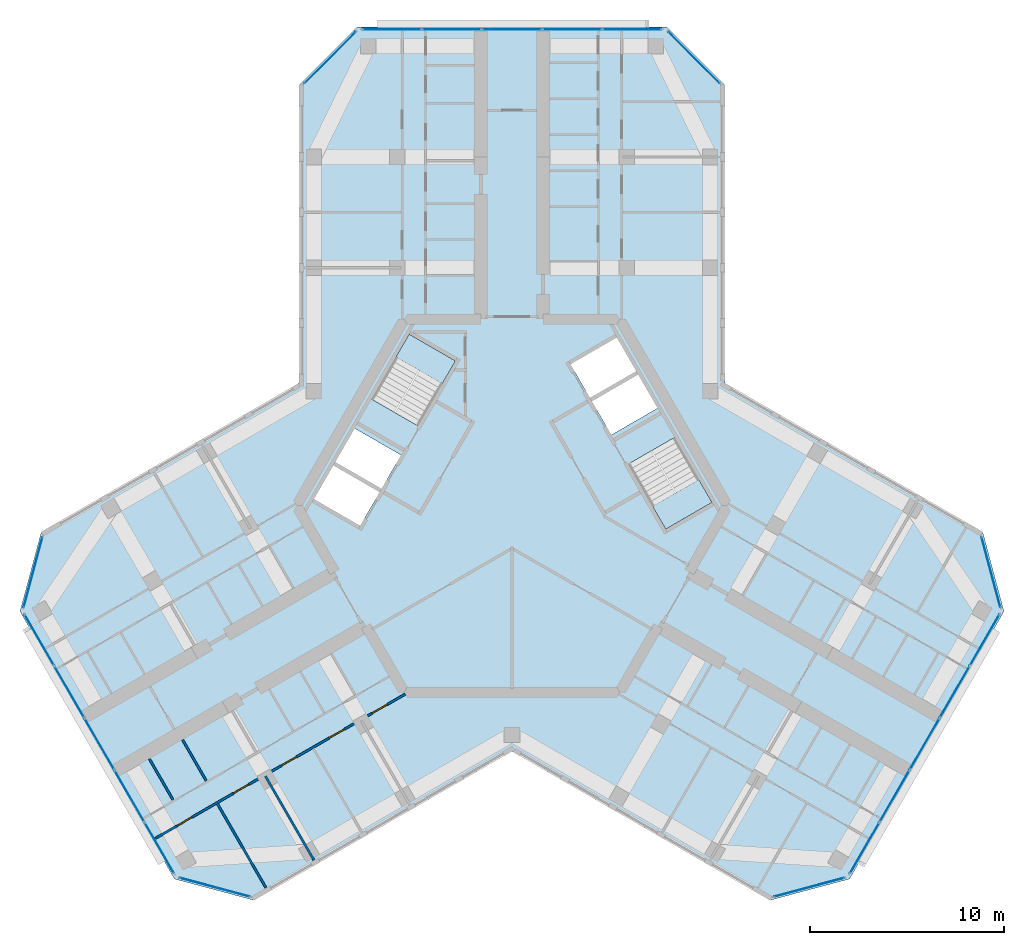
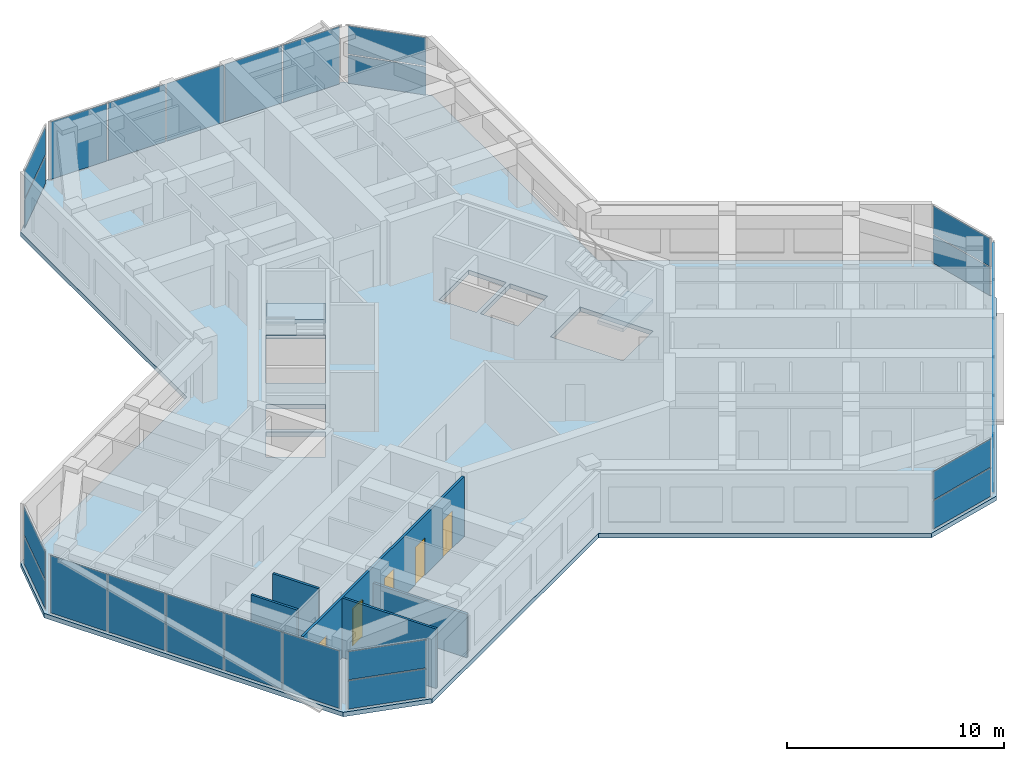
# One storey, part 6 of 14: 27 plates, 5 doors, 5 walls, 3 slabs, 5 openings, 11 elements without a shape of their own.
"""IFC4 building model written with IfcOpenShell, lengths in metres."""

from ifc_helpers import new_model, si_unit, direction, frame, frame_2d, origin, origin_2d, place, context, subcontext, project, spatial, polyline, rectangle, outline, extrude, material, layer, layer_set, type_object, element, fill, aggregate, save


model = new_model("IFC4")

# Units and contexts
model_context = context("Model", 3, precision=1e-05, world=origin(), true_north=direction((0.0, 1.0)))
body_context = subcontext(model_context, "Body", "Model", "MODEL_VIEW")
ifc_project = project(units=[si_unit("LENGTHUNIT", "METRE"), si_unit("AREAUNIT", "SQUARE_METRE"), si_unit("VOLUMEUNIT", "CUBIC_METRE"), si_unit("PLANEANGLEUNIT", "RADIAN"), si_unit("MASSUNIT", "GRAM", prefix="KILO")], contexts=[model_context])

# Site, building, storey
site_placement = place(None, origin())
site = spatial("IfcSite", under=ifc_project, at=site_placement, CompositionType="ELEMENT")
building_placement = place(site_placement, origin())
building = spatial("IfcBuilding", under=site, at=building_placement, Name="Kosmar Iwan School Tower", CompositionType="ELEMENT")
storey_placement = place(building_placement, frame((0.0, 0.0, 274.60009765625)))
storey = spatial("IfcBuildingStorey", under=building, at=storey_placement, Name="L69", CompositionType="ELEMENT", Elevation=274.60009765625)

# Curtain wall, plates
ifc_material_1 = material(Name="Dark glass in black aluminium frame", Category="aluminium")
curtain_wall_type_1 = type_object("IfcCurtainWallType", Name="Chamfer curtain wall dark glass", PredefinedType="USERDEFINED", material=ifc_material_1)
curtain_wall_1_placement = place(storey_placement, origin())
curtain_wall_1 = element("IfcCurtainWall", 1, at=curtain_wall_1_placement, inside=storey, type_object=curtain_wall_type_1, Name="Curtain wall L69-F02", ObjectType="FACETED CURTAIN WALL", PredefinedType="USERDEFINED")
ifc_material_2 = material(Name="Dark glass", Category="glass")
ifc_layer_1 = layer(ifc_material_2, 0.028076171875)
ifc_layer_set_1 = layer_set([ifc_layer_1], Name="Dark glass panel 28")
plate_type = type_object("IfcPlateType", Name="Dark glass panel 28", PredefinedType="CURTAIN_PANEL", material=ifc_layer_set_1)
plate_1_placement = place(storey_placement, frame((15.291015625, -19.63818359375, 0.059814453125), z_axis=(0.0, 0.0, 1.0), x_axis=(0.965925875495, 0.258818861462, 0.0)))
plate_1 = element("IfcPlate", 2, at=plate_1_placement, type_object=plate_type, Name="CW2 panel 1.1", PredefinedType="CURTAIN_PANEL", context=body_context, shape_type="SweptSolid", body=[
    extrude(rectangle(XDim=3.718994140625, YDim=0.028076171875, at=origin_2d()), origin(), (0.0, 0.0, 1.0), 1.5849609375),
])
plate_2_placement = place(storey_placement, frame((15.291015625, -19.63818359375, 1.704833984375), z_axis=(0.0, 0.0, 1.0), x_axis=(0.965925875495, 0.258818861462, 0.0)))
plate_2 = element("IfcPlate", 3, at=plate_2_placement, type_object=plate_type, Name="CW2 panel 1.2", PredefinedType="CURTAIN_PANEL", context=body_context, shape_type="SweptSolid", body=[
    extrude(rectangle(XDim=3.718994140625, YDim=0.028076171875, at=origin_2d()), origin(), (0.0, 0.0, 1.0), 1.5849609375),
])
aggregate(curtain_wall_1, [plate_1, plate_2])

ifc_material_3 = material(Name="Dark glass in black aluminium frame", Category="aluminium")
curtain_wall_type_2 = type_object("IfcCurtainWallType", Name="Tower curtain wall dark glass", PredefinedType="USERDEFINED", material=ifc_material_3)
curtain_wall_2_placement = place(storey_placement, origin())
curtain_wall_2 = element("IfcCurtainWall", 4, at=curtain_wall_2_placement, inside=storey, type_object=curtain_wall_type_2, Name="Curtain wall L69-F03", ObjectType="UNITISED CURTAIN WALL", PredefinedType="USERDEFINED")
plate_3_placement = place(storey_placement, frame((18.1474609375, -17.61767578125, 0.059814453125), z_axis=(0.0, 0.0, 1.0), x_axis=(0.499999997325, 0.866025405329, 0.0)))
plate_3 = element("IfcPlate", 5, at=plate_3_placement, type_object=plate_type, Name="CW1 panel 1.1", PredefinedType="CURTAIN_PANEL", context=body_context, shape_type="SweptSolid", body=[
    extrude(rectangle(XDim=3.00927734375, YDim=0.028076171875, at=origin_2d()), origin(), (0.0, 0.0, 1.0), 3.22998046875),
])
plate_4_placement = place(storey_placement, frame((19.689697265625, -14.946533203125, 0.059814453125), z_axis=(0.0, 0.0, 1.0), x_axis=(0.499999997325, 0.866025405329, 0.0)))
plate_4 = element("IfcPlate", 6, at=plate_4_placement, type_object=plate_type, Name="CW1 panel 2.1", PredefinedType="CURTAIN_PANEL", context=body_context, shape_type="SweptSolid", body=[
    extrude(rectangle(XDim=3.039306640625, YDim=0.028076171875, at=origin_2d()), origin(), (0.0, 0.0, 1.0), 3.22998046875),
])
plate_5_placement = place(storey_placement, frame((21.2392578125, -12.262451171875, 0.059814453125), z_axis=(0.0, 0.0, 1.0), x_axis=(0.499999997325, 0.866025405329, 0.0)))
plate_5 = element("IfcPlate", 7, at=plate_5_placement, type_object=plate_type, Name="CW1 panel 3.1", PredefinedType="CURTAIN_PANEL", context=body_context, shape_type="SweptSolid", body=[
    extrude(rectangle(XDim=3.039306640625, YDim=0.028076171875, at=origin_2d()), origin(), (0.0, 0.0, 1.0), 3.22998046875),
])
plate_6_placement = place(storey_placement, frame((22.788818359375, -9.578369140625, 0.059814453125), z_axis=(0.0, 0.0, 1.0), x_axis=(0.499999997325, 0.866025405329, 0.0)))
plate_6 = element("IfcPlate", 8, at=plate_6_placement, type_object=plate_type, Name="CW1 panel 4.1", PredefinedType="CURTAIN_PANEL", context=body_context, shape_type="SweptSolid", body=[
    extrude(rectangle(XDim=3.039306640625, YDim=0.028076171875, at=origin_2d()), origin(), (0.0, 0.0, 1.0), 3.22998046875),
])
plate_7_placement = place(storey_placement, frame((24.3310546875, -6.907470703125, 0.059814453125), z_axis=(0.0, 0.0, 1.0), x_axis=(0.499999997325, 0.866025405329, 0.0)))
plate_7 = element("IfcPlate", 9, at=plate_7_placement, type_object=plate_type, Name="CW1 panel 5.1", PredefinedType="CURTAIN_PANEL", context=body_context, shape_type="SweptSolid", body=[
    extrude(rectangle(XDim=3.00927734375, YDim=0.028076171875, at=origin_2d()), origin(), (0.0, 0.0, 1.0), 3.22998046875),
])
aggregate(curtain_wall_2, [plate_3, plate_4, plate_5, plate_6, plate_7])

curtain_wall_3_placement = place(storey_placement, origin())
curtain_wall_3 = element("IfcCurtainWall", 10, at=curtain_wall_3_placement, inside=storey, type_object=curtain_wall_type_1, Name="Curtain wall L69-F04", ObjectType="FACETED CURTAIN WALL", PredefinedType="USERDEFINED")
plate_8_placement = place(storey_placement, frame((24.65283203125, -3.42333984375, 0.059814453125), z_axis=(0.0, 0.0, 1.0), x_axis=(-0.258818861462, 0.965925875495, 0.0)))
plate_8 = element("IfcPlate", 11, at=plate_8_placement, type_object=plate_type, Name="CW2 panel 1.1", PredefinedType="CURTAIN_PANEL", context=body_context, shape_type="SweptSolid", body=[
    extrude(rectangle(XDim=3.718994140625, YDim=0.028076171875, at=origin_2d()), origin(), (0.0, 0.0, 1.0), 1.5849609375),
])
plate_9_placement = place(storey_placement, frame((24.65283203125, -3.42333984375, 1.704833984375), z_axis=(0.0, 0.0, 1.0), x_axis=(-0.258818861462, 0.965925875495, 0.0)))
plate_9 = element("IfcPlate", 12, at=plate_9_placement, type_object=plate_type, Name="CW2 panel 1.2", PredefinedType="CURTAIN_PANEL", context=body_context, shape_type="SweptSolid", body=[
    extrude(rectangle(XDim=3.718994140625, YDim=0.028076171875, at=origin_2d()), origin(), (0.0, 0.0, 1.0), 1.5849609375),
])
aggregate(curtain_wall_3, [plate_8, plate_9])

curtain_wall_4_placement = place(storey_placement, origin())
curtain_wall_4 = element("IfcCurtainWall", 13, at=curtain_wall_4_placement, inside=storey, type_object=curtain_wall_type_1, Name="Curtain wall L69-F07", ObjectType="FACETED CURTAIN WALL", PredefinedType="USERDEFINED")
plate_10_placement = place(storey_placement, frame((9.361572265625, 23.0615234375, 0.059814453125), z_axis=(0.0, 0.0, 1.0), x_axis=(-0.707106781187, 0.707106781187, 0.0)))
plate_10 = element("IfcPlate", 14, at=plate_10_placement, type_object=plate_type, Name="CW2 panel 1.1", PredefinedType="CURTAIN_PANEL", context=body_context, shape_type="SweptSolid", body=[
    extrude(rectangle(XDim=3.718994140625, YDim=0.028076171875, at=origin_2d()), origin(), (0.0, 0.0, 1.0), 1.5849609375),
])
plate_11_placement = place(storey_placement, frame((9.361572265625, 23.0615234375, 1.704833984375), z_axis=(0.0, 0.0, 1.0), x_axis=(-0.707106781187, 0.707106781187, 0.0)))
plate_11 = element("IfcPlate", 15, at=plate_11_placement, type_object=plate_type, Name="CW2 panel 1.2", PredefinedType="CURTAIN_PANEL", context=body_context, shape_type="SweptSolid", body=[
    extrude(rectangle(XDim=3.718994140625, YDim=0.028076171875, at=origin_2d()), origin(), (0.0, 0.0, 1.0), 1.5849609375),
])
aggregate(curtain_wall_4, [plate_10, plate_11])

curtain_wall_5_placement = place(storey_placement, origin())
curtain_wall_5 = element("IfcCurtainWall", 16, at=curtain_wall_5_placement, inside=storey, type_object=curtain_wall_type_2, Name="Curtain wall L69-F08", ObjectType="UNITISED CURTAIN WALL", PredefinedType="USERDEFINED")
plate_12_placement = place(storey_placement, frame((6.18359375, 24.52490234375, 0.059814453125), z_axis=(0.0, 0.0, 1.0), x_axis=(-1.0, 0.0, 0.0)))
plate_12 = element("IfcPlate", 17, at=plate_12_placement, type_object=plate_type, Name="CW1 panel 1.1", PredefinedType="CURTAIN_PANEL", context=body_context, shape_type="SweptSolid", body=[
    extrude(rectangle(XDim=3.00927734375, YDim=0.028076171875, at=origin_2d()), origin(), (0.0, 0.0, 1.0), 3.22998046875),
])
plate_13_placement = place(storey_placement, frame((3.099365234375, 24.52490234375, 0.059814453125), z_axis=(0.0, 0.0, 1.0), x_axis=(-1.0, 0.0, 0.0)))
plate_13 = element("IfcPlate", 18, at=plate_13_placement, type_object=plate_type, Name="CW1 panel 2.1", PredefinedType="CURTAIN_PANEL", context=body_context, shape_type="SweptSolid", body=[
    extrude(rectangle(XDim=3.039306640625, YDim=0.028076171875, at=origin_2d()), origin(), (0.0, 0.0, 1.0), 3.22998046875),
])
plate_14_placement = place(storey_placement, frame((0.0, 24.52490234375, 0.059814453125), z_axis=(0.0, 0.0, 1.0), x_axis=(-1.0, 0.0, 0.0)))
plate_14 = element("IfcPlate", 19, at=plate_14_placement, type_object=plate_type, Name="CW1 panel 3.1", PredefinedType="CURTAIN_PANEL", context=body_context, shape_type="SweptSolid", body=[
    extrude(rectangle(XDim=3.039306640625, YDim=0.028076171875, at=origin_2d()), origin(), (0.0, 0.0, 1.0), 3.22998046875),
])
plate_15_placement = place(storey_placement, frame((-3.099365234375, 24.52490234375, 0.059814453125), z_axis=(0.0, 0.0, 1.0), x_axis=(-1.0, 0.0, 0.0)))
plate_15 = element("IfcPlate", 20, at=plate_15_placement, type_object=plate_type, Name="CW1 panel 4.1", PredefinedType="CURTAIN_PANEL", context=body_context, shape_type="SweptSolid", body=[
    extrude(rectangle(XDim=3.039306640625, YDim=0.028076171875, at=origin_2d()), origin(), (0.0, 0.0, 1.0), 3.22998046875),
])
plate_16_placement = place(storey_placement, frame((-6.18359375, 24.52490234375, 0.059814453125), z_axis=(0.0, 0.0, 1.0), x_axis=(-1.0, 0.0, 0.0)))
plate_16 = element("IfcPlate", 21, at=plate_16_placement, type_object=plate_type, Name="CW1 panel 5.1", PredefinedType="CURTAIN_PANEL", context=body_context, shape_type="SweptSolid", body=[
    extrude(rectangle(XDim=3.00927734375, YDim=0.028076171875, at=origin_2d()), origin(), (0.0, 0.0, 1.0), 3.22998046875),
])
aggregate(curtain_wall_5, [plate_12, plate_13, plate_14, plate_15, plate_16])

curtain_wall_6_placement = place(storey_placement, origin())
curtain_wall_6 = element("IfcCurtainWall", 22, at=curtain_wall_6_placement, inside=storey, type_object=curtain_wall_type_1, Name="Curtain wall L69-F09", ObjectType="FACETED CURTAIN WALL", PredefinedType="USERDEFINED")
plate_17_placement = place(storey_placement, frame((-9.361572265625, 23.0615234375, 0.059814453125), z_axis=(0.0, 0.0, 1.0), x_axis=(-0.707106781187, -0.707106781187, 0.0)))
plate_17 = element("IfcPlate", 23, at=plate_17_placement, type_object=plate_type, Name="CW2 panel 1.1", PredefinedType="CURTAIN_PANEL", context=body_context, shape_type="SweptSolid", body=[
    extrude(rectangle(XDim=3.718994140625, YDim=0.028076171875, at=origin_2d()), origin(), (0.0, 0.0, 1.0), 1.5849609375),
])
plate_18_placement = place(storey_placement, frame((-9.361572265625, 23.0615234375, 1.704833984375), z_axis=(0.0, 0.0, 1.0), x_axis=(-0.707106781187, -0.707106781187, 0.0)))
plate_18 = element("IfcPlate", 24, at=plate_18_placement, type_object=plate_type, Name="CW2 panel 1.2", PredefinedType="CURTAIN_PANEL", context=body_context, shape_type="SweptSolid", body=[
    extrude(rectangle(XDim=3.718994140625, YDim=0.028076171875, at=origin_2d()), origin(), (0.0, 0.0, 1.0), 1.5849609375),
])
aggregate(curtain_wall_6, [plate_17, plate_18])

curtain_wall_7_placement = place(storey_placement, origin())
curtain_wall_7 = element("IfcCurtainWall", 25, at=curtain_wall_7_placement, inside=storey, type_object=curtain_wall_type_1, Name="Curtain wall L69-F12", ObjectType="FACETED CURTAIN WALL", PredefinedType="USERDEFINED")
plate_19_placement = place(storey_placement, frame((-24.65283203125, -3.42333984375, 0.059814453125), z_axis=(0.0, 0.0, 1.0), x_axis=(-0.258818861462, -0.965925875495, 0.0)))
plate_19 = element("IfcPlate", 26, at=plate_19_placement, type_object=plate_type, Name="CW2 panel 1.1", PredefinedType="CURTAIN_PANEL", context=body_context, shape_type="SweptSolid", body=[
    extrude(rectangle(XDim=3.718994140625, YDim=0.028076171875, at=origin_2d()), origin(), (0.0, 0.0, 1.0), 1.5849609375),
])
plate_20_placement = place(storey_placement, frame((-24.65283203125, -3.42333984375, 1.704833984375), z_axis=(0.0, 0.0, 1.0), x_axis=(-0.258818861462, -0.965925875495, 0.0)))
plate_20 = element("IfcPlate", 27, at=plate_20_placement, type_object=plate_type, Name="CW2 panel 1.2", PredefinedType="CURTAIN_PANEL", context=body_context, shape_type="SweptSolid", body=[
    extrude(rectangle(XDim=3.718994140625, YDim=0.028076171875, at=origin_2d()), origin(), (0.0, 0.0, 1.0), 1.5849609375),
])
aggregate(curtain_wall_7, [plate_19, plate_20])

curtain_wall_8_placement = place(storey_placement, origin())
curtain_wall_8 = element("IfcCurtainWall", 28, at=curtain_wall_8_placement, inside=storey, type_object=curtain_wall_type_2, Name="Curtain wall L69-F13", ObjectType="UNITISED CURTAIN WALL", PredefinedType="USERDEFINED")
plate_21_placement = place(storey_placement, frame((-24.3310546875, -6.907470703125, 0.059814453125), z_axis=(0.0, 0.0, 1.0), x_axis=(0.499999997325, -0.866025405329, 0.0)))
plate_21 = element("IfcPlate", 29, at=plate_21_placement, type_object=plate_type, Name="CW1 panel 1.1", PredefinedType="CURTAIN_PANEL", context=body_context, shape_type="SweptSolid", body=[
    extrude(rectangle(XDim=3.00927734375, YDim=0.028076171875, at=origin_2d()), origin(), (0.0, 0.0, 1.0), 3.22998046875),
])
plate_22_placement = place(storey_placement, frame((-22.788818359375, -9.578369140625, 0.059814453125), z_axis=(0.0, 0.0, 1.0), x_axis=(0.499999997325, -0.866025405329, 0.0)))
plate_22 = element("IfcPlate", 30, at=plate_22_placement, type_object=plate_type, Name="CW1 panel 2.1", PredefinedType="CURTAIN_PANEL", context=body_context, shape_type="SweptSolid", body=[
    extrude(rectangle(XDim=3.039306640625, YDim=0.028076171875, at=origin_2d()), origin(), (0.0, 0.0, 1.0), 3.22998046875),
])
plate_23_placement = place(storey_placement, frame((-21.2392578125, -12.262451171875, 0.059814453125), z_axis=(0.0, 0.0, 1.0), x_axis=(0.499999997325, -0.866025405329, 0.0)))
plate_23 = element("IfcPlate", 31, at=plate_23_placement, type_object=plate_type, Name="CW1 panel 3.1", PredefinedType="CURTAIN_PANEL", context=body_context, shape_type="SweptSolid", body=[
    extrude(rectangle(XDim=3.039306640625, YDim=0.028076171875, at=origin_2d()), origin(), (0.0, 0.0, 1.0), 3.22998046875),
])
plate_24_placement = place(storey_placement, frame((-19.689697265625, -14.946533203125, 0.059814453125), z_axis=(0.0, 0.0, 1.0), x_axis=(0.499999997325, -0.866025405329, 0.0)))
plate_24 = element("IfcPlate", 32, at=plate_24_placement, type_object=plate_type, Name="CW1 panel 4.1", PredefinedType="CURTAIN_PANEL", context=body_context, shape_type="SweptSolid", body=[
    extrude(rectangle(XDim=3.039306640625, YDim=0.028076171875, at=origin_2d()), origin(), (0.0, 0.0, 1.0), 3.22998046875),
])
plate_25_placement = place(storey_placement, frame((-18.1474609375, -17.61767578125, 0.059814453125), z_axis=(0.0, 0.0, 1.0), x_axis=(0.499999997325, -0.866025405329, 0.0)))
plate_25 = element("IfcPlate", 33, at=plate_25_placement, type_object=plate_type, Name="CW1 panel 5.1", PredefinedType="CURTAIN_PANEL", context=body_context, shape_type="SweptSolid", body=[
    extrude(rectangle(XDim=3.00927734375, YDim=0.028076171875, at=origin_2d()), origin(), (0.0, 0.0, 1.0), 3.22998046875),
])
aggregate(curtain_wall_8, [plate_21, plate_22, plate_23, plate_24, plate_25])

curtain_wall_9_placement = place(storey_placement, origin())
curtain_wall_9 = element("IfcCurtainWall", 34, at=curtain_wall_9_placement, inside=storey, type_object=curtain_wall_type_1, Name="Curtain wall L69-F14", ObjectType="FACETED CURTAIN WALL", PredefinedType="USERDEFINED")
plate_26_placement = place(storey_placement, frame((-15.291015625, -19.63818359375, 0.059814453125), z_axis=(0.0, 0.0, 1.0), x_axis=(0.965925875495, -0.258818861462, 0.0)))
plate_26 = element("IfcPlate", 35, at=plate_26_placement, type_object=plate_type, Name="CW2 panel 1.1", PredefinedType="CURTAIN_PANEL", context=body_context, shape_type="SweptSolid", body=[
    extrude(rectangle(XDim=3.718994140625, YDim=0.028076171875, at=origin_2d()), origin(), (0.0, 0.0, 1.0), 1.5849609375),
])
plate_27_placement = place(storey_placement, frame((-15.291015625, -19.63818359375, 1.704833984375), z_axis=(0.0, 0.0, 1.0), x_axis=(0.965925875495, -0.258818861462, 0.0)))
plate_27 = element("IfcPlate", 36, at=plate_27_placement, type_object=plate_type, Name="CW2 panel 1.2", PredefinedType="CURTAIN_PANEL", context=body_context, shape_type="SweptSolid", body=[
    extrude(rectangle(XDim=3.718994140625, YDim=0.028076171875, at=origin_2d()), origin(), (0.0, 0.0, 1.0), 1.5849609375),
])
aggregate(curtain_wall_9, [plate_26, plate_27])

# Slab
ifc_material_4 = material(Name="Concrete C35/45", Category="concrete")
ifc_layer_2 = layer(ifc_material_4, 0.25)
ifc_layer_set_2 = layer_set([ifc_layer_2], Name="Floor slab 250")
slab_type_1 = type_object("IfcSlabType", Name="Floor slab 250", PredefinedType="FLOOR", material=ifc_layer_set_2)
slab_1_placement = place(storey_placement, frame((0.0, 0.0, -0.25)))
element("IfcSlab", 37, at=slab_1_placement, inside=storey, type_object=slab_type_1, Name="L69 floor slab", PredefinedType="FLOOR", context=body_context, shape_type="SweptSolid", body=[
    extrude(outline(polyline([(-13.2744140625, -20.307861328125), (0.0, -12.64404296875), (13.2744140625, -20.307861328125), (17.37255859375, -19.2099609375), (25.322509765625, -5.440185546875), (24.224365234375, -1.342041015625), (10.949951171875, 6.322021484375), (10.949951171875, 21.64990234375), (7.949951171875, 24.64990234375), (-7.949951171875, 24.64990234375), (-10.949951171875, 21.64990234375), (-10.949951171875, 6.322021484375), (-24.224365234375, -1.342041015625), (-25.322509765625, -5.440185546875), (-17.37255859375, -19.2099609375), (-13.2744140625, -20.307861328125)]), holes=[polyline([(7.91259765625, -1.205078125), (10.294189453125, 0.169921875), (8.3642578125, 3.5126953125), (5.982666015625, 2.1376953125), (7.91259765625, -1.205078125)]), polyline([(-2.91259765625, 7.455078125), (-5.294189453125, 8.830078125), (-7.22412109375, 5.4873046875), (-4.8427734375, 4.1123046875), (-2.91259765625, 7.455078125)]), polyline([(-5.712646484375, 2.60546875), (-8.09423828125, 3.98046875), (-9.09423828125, 2.248291015625), (-6.712646484375, 0.873291015625), (-5.712646484375, 2.60546875)]), polyline([(-6.812744140625, 0.7001953125), (-9.1943359375, 2.0751953125), (-10.1943359375, 0.343017578125), (-7.812744140625, -1.031982421875), (-6.812744140625, 0.7001953125)]), polyline([(5.112548828125, 3.64453125), (7.494140625, 5.01953125), (6.494140625, 6.751708984375), (4.112548828125, 5.376708984375), (5.112548828125, 3.64453125)]), polyline([(4.0126953125, 5.5498046875), (6.394287109375, 6.9248046875), (5.394287109375, 8.656982421875), (3.0126953125, 7.281982421875), (4.0126953125, 5.5498046875)])]), origin(), (0.0, 0.0, 1.0), 0.25),
])

# Stair, slab
ifc_material_5 = material(Name="Concrete C35/45", Category="concrete")
stair_type = type_object("IfcStairType", Name="Core stair 2750", PredefinedType="HALF_TURN_STAIR", material=ifc_material_5)
stair_1_placement = place(storey_placement, origin())
stair_1 = element("IfcStair", 38, at=stair_1_placement, inside=storey, type_object=stair_type, Name="Stair ST2 L69", PredefinedType="HALF_TURN_STAIR")
ifc_material_6 = material(Name="Concrete C35/45", Category="concrete")
ifc_layer_3 = layer(ifc_material_6, 0.199951171875)
ifc_layer_set_3 = layer_set([ifc_layer_3], Name="Stair landing 200")
slab_type_2 = type_object("IfcSlabType", Name="Stair landing 200", PredefinedType="LANDING", material=ifc_layer_set_3)
slab_2_placement = place(storey_placement, frame((0.0, 0.0, 1.599853515625)))
slab_2 = element("IfcSlab", 39, at=slab_2_placement, type_object=slab_type_2, Name="ST2 landing 1", PredefinedType="LANDING", context=body_context, shape_type="SweptSolid", body=[
    extrude(outline(polyline([(-2.91259765625, 7.455078125), (-5.294189453125, 8.830078125), (-5.97412109375, 7.65234375), (-3.5927734375, 6.27734375), (-2.91259765625, 7.455078125)])), origin(), (0.0, 0.0, 1.0), 0.199951171875),
])
aggregate(stair_1, [slab_2])

stair_2_placement = place(storey_placement, origin())
stair_2 = element("IfcStair", 40, at=stair_2_placement, inside=storey, type_object=stair_type, Name="Stair ST1 L69", PredefinedType="HALF_TURN_STAIR")
slab_3_placement = place(storey_placement, frame((0.0, 0.0, 1.599853515625)))
slab_3 = element("IfcSlab", 41, at=slab_3_placement, type_object=slab_type_2, Name="ST1 landing 1", PredefinedType="LANDING", context=body_context, shape_type="SweptSolid", body=[
    extrude(outline(polyline([(7.91259765625, -1.205078125), (10.294189453125, 0.169921875), (9.6142578125, 1.34765625), (7.232666015625, -0.02734375), (7.91259765625, -1.205078125)])), origin(), (0.0, 0.0, 1.0), 0.199951171875),
])
aggregate(stair_2, [slab_3])

# Wall, openings, doors
ifc_material_7 = material(Name="Gypsum board on steel studs", Category="steel")
ifc_layer_4 = layer(ifc_material_7, 0.1201171875)
ifc_layer_set_4 = layer_set([ifc_layer_4], Name="Dwelling partition 120")
wall_type = type_object("IfcWallType", Name="Dwelling partition 120", PredefinedType="PARTITIONING", material=ifc_layer_set_4)
wall_1_placement = place(storey_placement, frame((-5.48876953125, -9.693115234375, 0.0), z_axis=(0.0, 0.0, 1.0), x_axis=(-0.866030301974, -0.499991515992, 0.0)))
wall_1 = element("IfcWall", 42, at=wall_1_placement, inside=storey, type_object=wall_type, Name="Partition L69-BL1-W2", PredefinedType="PARTITIONING", context=body_context, shape_type="SweptSolid", body=[
    extrude(rectangle(XDim=14.844970703125, YDim=0.1201171875, at=frame_2d((7.42236328125, 0.0))), origin(), (0.0, 0.0, 1.0), 3.349853515625),
])
opening_1_placement = place(wall_1_placement, frame((1.074951171875, 0.0, 0.0)))
opening_1 = element("IfcOpeningElement", 43, at=opening_1_placement, cuts=wall_1, Name="Opening D2", PredefinedType="OPENING", context=body_context, shape_type="SweptSolid", body=[
    extrude(rectangle(XDim=0.89990234375, YDim=2.10009765625, at=frame_2d((0.449951171875, 1.050048828125))), frame((0.0, 0.072021484375, 0.0), z_axis=(0.0, -1.0, 0.0), x_axis=(1.0, 0.0, 0.0)), (0.0, 0.0, 1.0), 0.14404296875),
])
opening_2_placement = place(wall_1_placement, frame((3.625, 0.0, 0.0)))
opening_2 = element("IfcOpeningElement", 44, at=opening_2_placement, cuts=wall_1, Name="Opening D2", PredefinedType="OPENING", context=body_context, shape_type="SweptSolid", body=[
    extrude(rectangle(XDim=0.89990234375, YDim=2.10009765625, at=frame_2d((0.449951171875, 1.050048828125))), frame((0.0, 0.072021484375, 0.0), z_axis=(0.0, -1.0, 0.0), x_axis=(1.0, 0.0, 0.0)), (0.0, 0.0, 1.0), 0.14404296875),
])
opening_3_placement = place(wall_1_placement, frame((6.47509765625, 0.0, 0.0)))
opening_3 = element("IfcOpeningElement", 45, at=opening_3_placement, cuts=wall_1, Name="Opening D2", PredefinedType="OPENING", context=body_context, shape_type="SweptSolid", body=[
    extrude(rectangle(XDim=0.89990234375, YDim=2.10009765625, at=frame_2d((0.449951171875, 1.050048828125))), frame((0.0, 0.072021484375, 0.0), z_axis=(0.0, -1.0, 0.0), x_axis=(1.0, 0.0, 0.0)), (0.0, 0.0, 1.0), 0.14404296875),
])
opening_4_placement = place(wall_1_placement, frame((9.324951171875, 0.0, 0.0)))
opening_4 = element("IfcOpeningElement", 46, at=opening_4_placement, cuts=wall_1, Name="Opening D2", PredefinedType="OPENING", context=body_context, shape_type="SweptSolid", body=[
    extrude(rectangle(XDim=0.89990234375, YDim=2.10009765625, at=frame_2d((0.449951171875, 1.050048828125))), frame((0.0, 0.072021484375, 0.0), z_axis=(0.0, -1.0, 0.0), x_axis=(1.0, 0.0, 0.0)), (0.0, 0.0, 1.0), 0.14404296875),
])
opening_5_placement = place(wall_1_placement, frame((12.675048828125, 0.0, 0.0)))
opening_5 = element("IfcOpeningElement", 47, at=opening_5_placement, cuts=wall_1, Name="Opening D2", PredefinedType="OPENING", context=body_context, shape_type="SweptSolid", body=[
    extrude(rectangle(XDim=0.89990234375, YDim=2.10009765625, at=frame_2d((0.449951171875, 1.050048828125))), frame((0.0, 0.072021484375, 0.0), z_axis=(0.0, -1.0, 0.0), x_axis=(1.0, 0.0, 0.0)), (0.0, 0.0, 1.0), 0.14404296875),
])
ifc_material_8 = material(Name="Timber door in timber frame", Category="wood")
door_type = type_object("IfcDoorType", Name="Internal door 900x2100", OperationType="SINGLE_SWING_LEFT", PredefinedType="DOOR", material=ifc_material_8)
door_1_placement = place(opening_1_placement, origin())
door_1 = element("IfcDoor", 48, at=door_1_placement, inside=storey, type_object=door_type, Name="Living room door L69-BL1-F1", OperationType="SINGLE_SWING_LEFT", OverallHeight=2.10009765625, OverallWidth=0.89990234375, PredefinedType="DOOR", context=body_context, shape_type="SweptSolid", body=[
    extrude(rectangle(XDim=0.89990234375, YDim=2.10009765625, at=frame_2d((0.449951171875, 1.050048828125))), frame((0.0, 0.02490234375, 0.0), z_axis=(0.0, -1.0, 0.0), x_axis=(1.0, 0.0, 0.0)), (0.0, 0.0, 1.0), 0.050048828125),
])
fill(opening_1, door_1)
door_2_placement = place(opening_2_placement, origin())
door_2 = element("IfcDoor", 49, at=door_2_placement, inside=storey, type_object=door_type, Name="Study door L69-BL1-F2", OperationType="SINGLE_SWING_RIGHT", OverallHeight=2.10009765625, OverallWidth=0.89990234375, PredefinedType="DOOR", context=body_context, shape_type="SweptSolid", body=[
    extrude(rectangle(XDim=0.89990234375, YDim=2.10009765625, at=frame_2d((0.449951171875, 1.050048828125))), frame((0.0, 0.02490234375, 0.0), z_axis=(0.0, -1.0, 0.0), x_axis=(1.0, 0.0, 0.0)), (0.0, 0.0, 1.0), 0.050048828125),
])
fill(opening_2, door_2)
door_3_placement = place(opening_3_placement, origin())
door_3 = element("IfcDoor", 50, at=door_3_placement, inside=storey, type_object=door_type, Name="Bedroom 2 door L69-BL1-F3", OperationType="SINGLE_SWING_LEFT", OverallHeight=2.10009765625, OverallWidth=0.89990234375, PredefinedType="DOOR", context=body_context, shape_type="SweptSolid", body=[
    extrude(rectangle(XDim=0.89990234375, YDim=2.10009765625, at=frame_2d((0.449951171875, 1.050048828125))), frame((0.0, 0.02490234375, 0.0), z_axis=(0.0, -1.0, 0.0), x_axis=(1.0, 0.0, 0.0)), (0.0, 0.0, 1.0), 0.050048828125),
])
fill(opening_3, door_3)
door_4_placement = place(opening_4_placement, origin())
door_4 = element("IfcDoor", 51, at=door_4_placement, inside=storey, type_object=door_type, Name="Kitchen and dining room door L69-BL1-F4", OperationType="SINGLE_SWING_RIGHT", OverallHeight=2.10009765625, OverallWidth=0.89990234375, PredefinedType="DOOR", context=body_context, shape_type="SweptSolid", body=[
    extrude(rectangle(XDim=0.89990234375, YDim=2.10009765625, at=frame_2d((0.449951171875, 1.050048828125))), frame((0.0, 0.02490234375, 0.0), z_axis=(0.0, -1.0, 0.0), x_axis=(1.0, 0.0, 0.0)), (0.0, 0.0, 1.0), 0.050048828125),
])
fill(opening_4, door_4)
door_5_placement = place(opening_5_placement, origin())
door_5 = element("IfcDoor", 52, at=door_5_placement, inside=storey, type_object=door_type, Name="Bedroom 1 door L69-BL1-F5", OperationType="SINGLE_SWING_RIGHT", OverallHeight=2.10009765625, OverallWidth=0.89990234375, PredefinedType="DOOR", context=body_context, shape_type="SweptSolid", body=[
    extrude(rectangle(XDim=0.89990234375, YDim=2.10009765625, at=frame_2d((0.449951171875, 1.050048828125))), frame((0.0, 0.02490234375, 0.0), z_axis=(0.0, -1.0, 0.0), x_axis=(1.0, 0.0, 0.0)), (0.0, 0.0, 1.0), 0.050048828125),
])
fill(opening_5, door_5)

# Walls
wall_2_placement = place(storey_placement, frame((-12.690185546875, -13.919921875, 0.0), z_axis=(0.0, 0.0, 1.0), x_axis=(0.500011847778, -0.866018563358, 0.0)))
element("IfcWall", 53, at=wall_2_placement, inside=storey, type_object=wall_type, Name="Partition L69-BL1-X3", PredefinedType="PARTITIONING", context=body_context, shape_type="SweptSolid", body=[
    extrude(rectangle(XDim=4.990234375, YDim=0.1201171875, at=frame_2d((2.4951171875, 0.0))), origin(), (0.0, 0.0, 1.0), 2.449951171875),
])
wall_3_placement = place(storey_placement, frame((-15.158447265625, -15.344970703125, 0.0), z_axis=(0.0, 0.0, 1.0), x_axis=(0.500011847778, -0.866018563358, 0.0)))
element("IfcWall", 54, at=wall_3_placement, inside=storey, type_object=wall_type, Name="Partition L69-BL1-X4", PredefinedType="PARTITIONING", context=body_context, shape_type="SweptSolid", body=[
    extrude(rectangle(XDim=4.990234375, YDim=0.1201171875, at=frame_2d((2.4951171875, 0.0))), origin(), (0.0, 0.0, 1.0), 3.349853515625),
])
wall_4_placement = place(storey_placement, frame((-16.9580078125, -12.042236328125, 0.0), z_axis=(0.0, 0.0, 1.0), x_axis=(0.500034220881, -0.866005645448, 0.0)))
element("IfcWall", 55, at=wall_4_placement, inside=storey, type_object=wall_type, Name="Partition L69-BL1-Y5", PredefinedType="PARTITIONING", context=body_context, shape_type="SweptSolid", body=[
    extrude(rectangle(XDim=2.440185546875, YDim=0.1201171875, at=frame_2d((1.22021484375, 0.0))), origin(), (0.0, 0.0, 1.0), 3.349853515625),
])
wall_5_placement = place(storey_placement, frame((-18.665283203125, -13.028076171875, 0.0), z_axis=(0.0, 0.0, 1.0), x_axis=(0.500002508028, -0.866023955769, 0.0)))
element("IfcWall", 56, at=wall_5_placement, inside=storey, type_object=wall_type, Name="Partition L69-BL1-Y6", PredefinedType="PARTITIONING", context=body_context, shape_type="SweptSolid", body=[
    extrude(rectangle(XDim=2.43994140625, YDim=0.1201171875, at=frame_2d((1.219970703125, 0.0))), origin(), (0.0, 0.0, 1.0), 3.349853515625),
])

save(model, "model.ifc")
